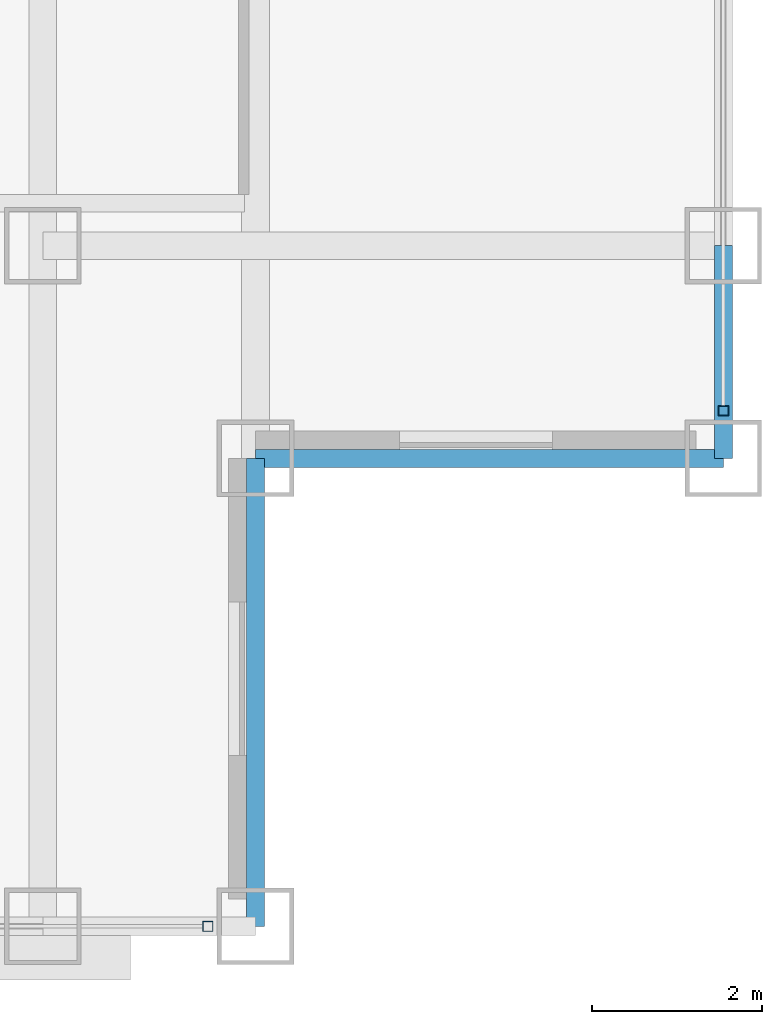
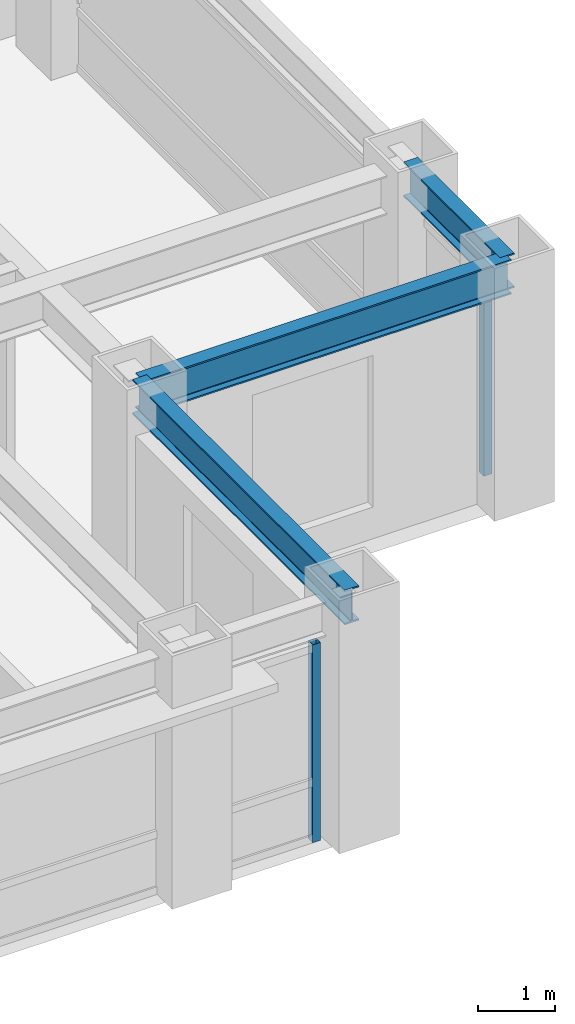
# One storey, part 8 of 27: 3 beams, 2 members, 2 elements without a shape of their own.
"""IFC4 building model written with IfcOpenShell, lengths in metres."""

from ifc_helpers import new_model, si_unit, direction, frame, origin, origin_2d, place, context, subcontext, project, spatial, hollow_rectangle, i_section, extrude, source, transform, mapped, material, material_profile, profile_set, type_object, element, aggregate, save


model = new_model("IFC4")

# Units and contexts
model_context = context("Model", 3, precision=1e-05, world=origin(), true_north=direction((0.0, 1.0)))
body_context = subcontext(model_context, "Body", "Model", "MODEL_VIEW")
ifc_project = project(units=[si_unit("LENGTHUNIT", "METRE"), si_unit("AREAUNIT", "SQUARE_METRE"), si_unit("VOLUMEUNIT", "CUBIC_METRE"), si_unit("PLANEANGLEUNIT", "RADIAN"), si_unit("MASSUNIT", "GRAM", prefix="KILO")], contexts=[model_context])

# Site, building, storey
site_placement = place(None, origin())
site = spatial("IfcSite", under=ifc_project, at=site_placement, CompositionType="ELEMENT")
building_placement = place(site_placement, origin())
building = spatial("IfcBuilding", under=site, at=building_placement, Name="Khorayat Bourse Tower", CompositionType="ELEMENT")
storey_placement = place(building_placement, frame((0.0, 0.0, 285.5)))
storey = spatial("IfcBuildingStorey", under=building, at=storey_placement, Name="L67", CompositionType="ELEMENT", Elevation=285.5)

# Beams
ifc_material_1 = material(Name="Steel ASTM A992 Grade 50", Category="steel")
ifc_material_profile_1 = material_profile(ifc_material_1, i_section(OverallWidth=0.214111328125, OverallDepth=0.549072265625, WebThickness=0.0146484375, FlangeThickness=0.023681640625, FilletRadius=0.013916015625, at=origin_2d()), Name="W530X138")
ifc_profile_set_1 = profile_set([ifc_material_profile_1], Name="Steel ASTM A992 Grade 50")
beam_type = type_object("IfcBeamType", Name="BM-SPAN-530", PredefinedType="SPANDREL", material=ifc_profile_set_1)
shared_shape_1 = source(origin(), body_context, "Body", "SweptSolid", [
    extrude(i_section(OverallWidth=0.214111328125, OverallDepth=0.549072265625, WebThickness=0.0146484375, FlangeThickness=0.023681640625, FilletRadius=0.013916015625, at=origin_2d()), origin(), (0.0, 0.0, 1.0), 2.5),
])
beam_placement = place(storey_placement, frame((28.0, -22.5, 3.505615234375), z_axis=(0.0, 1.0, 0.0), x_axis=(-1.0, 0.0, 0.0)))
element("IfcBeam", 1, at=beam_placement, inside=storey, type_object=beam_type, Name="L67 BM-SPAN-530 BM-L67-SPN-034", PredefinedType="SPANDREL", context=body_context, shape_type="MappedRepresentation", body=[
    mapped(shared_shape_1, transform((0.0, 0.0, 0.0), scale=1.0)),
])
shared_shape_2 = source(origin(), body_context, "Body", "SweptSolid", [
    extrude(i_section(OverallWidth=0.214111328125, OverallDepth=0.549072265625, WebThickness=0.0146484375, FlangeThickness=0.023681640625, FilletRadius=0.013916015625, at=origin_2d()), origin(), (0.0, 0.0, 1.0), 5.5),
])
for number, where, z_axis, x_axis, name in (
    (2, (22.5, -28.0, 3.505615234375), (0.0, 1.0, 0.0), (-1.0, 0.0, 0.0), "L67 BM-SPAN-530 BM-L67-SPN-032"),
    (3, (22.5, -22.5, 3.505615234375), (1.0, 0.0, 0.0), (0.0, 1.0, 0.0), "L67 BM-SPAN-530 BM-L67-SPN-033"),
):
    element("IfcBeam", number, at=place(storey_placement, frame(where, z_axis=z_axis, x_axis=x_axis)), inside=storey, type_object=beam_type, Name=name, PredefinedType="SPANDREL", context=body_context, shape_type="MappedRepresentation", body=[
        mapped(shared_shape_2, transform((0.0, 0.0, 0.0), scale=1.0)),
    ])

# Curtain wall, member
ifc_material_2 = material(Name="Aluminium EN AW-6063 T6", Category="aluminium")
curtain_wall_type = type_object("IfcCurtainWallType", Name="CW-SYS-04", PredefinedType="NOTDEFINED", material=ifc_material_2)
curtain_wall_1_placement = place(storey_placement, origin())
curtain_wall_1 = element("IfcCurtainWall", 4, at=curtain_wall_1_placement, inside=storey, type_object=curtain_wall_type, Name="L67 Curtain Wall CW-L67-S1", PredefinedType="NOTDEFINED")
ifc_material_profile_2 = material_profile(ifc_material_2, hollow_rectangle(XDim=0.1201171875, YDim=0.1201171875, WallThickness=0.0048828125, at=origin_2d()), Name="ALU 120x120x5")
ifc_profile_set_2 = profile_set([ifc_material_profile_2], Name="Aluminium EN AW-6063 T6")
member_type = type_object("IfcMemberType", Name="CWM-VERT-120", PredefinedType="MULLION", material=ifc_profile_set_2)
shared_shape_3 = source(origin(), body_context, "Body", "SweptSolid", [
    extrude(hollow_rectangle(XDim=0.1201171875, YDim=0.1201171875, WallThickness=0.0048828125, at=origin_2d()), origin(), (0.0, 0.0, 1.0), 3.1298828125),
])
member_1_placement = place(storey_placement, frame((21.93994140625, -28.0, 0.0), z_axis=(0.0, 0.0, 1.0), x_axis=(0.0, 1.0, 0.0)))
member_1 = element("IfcMember", 5, at=member_1_placement, type_object=member_type, Name="CW-L67-S1 Vertical Mullion 3", PredefinedType="MULLION", context=body_context, shape_type="MappedRepresentation", body=[
    mapped(shared_shape_3, transform((0.0, 0.0, 0.0), scale=1.0)),
])
aggregate(curtain_wall_1, [member_1])

curtain_wall_2_placement = place(storey_placement, origin())
curtain_wall_2 = element("IfcCurtainWall", 6, at=curtain_wall_2_placement, inside=storey, type_object=curtain_wall_type, Name="L67 Curtain Wall CW-L67-E1", PredefinedType="NOTDEFINED")
member_2_placement = place(storey_placement, frame((28.0, -21.93994140625, 0.0), z_axis=(0.0, 0.0, 1.0), x_axis=(-1.0, 0.0, 0.0)))
member_2 = element("IfcMember", 7, at=member_2_placement, type_object=member_type, Name="CW-L67-E1 Vertical Mullion 1", PredefinedType="MULLION", context=body_context, shape_type="MappedRepresentation", body=[
    mapped(shared_shape_3, transform((0.0, 0.0, 0.0), scale=1.0)),
])
aggregate(curtain_wall_2, [member_2])

save(model, "model.ifc")
